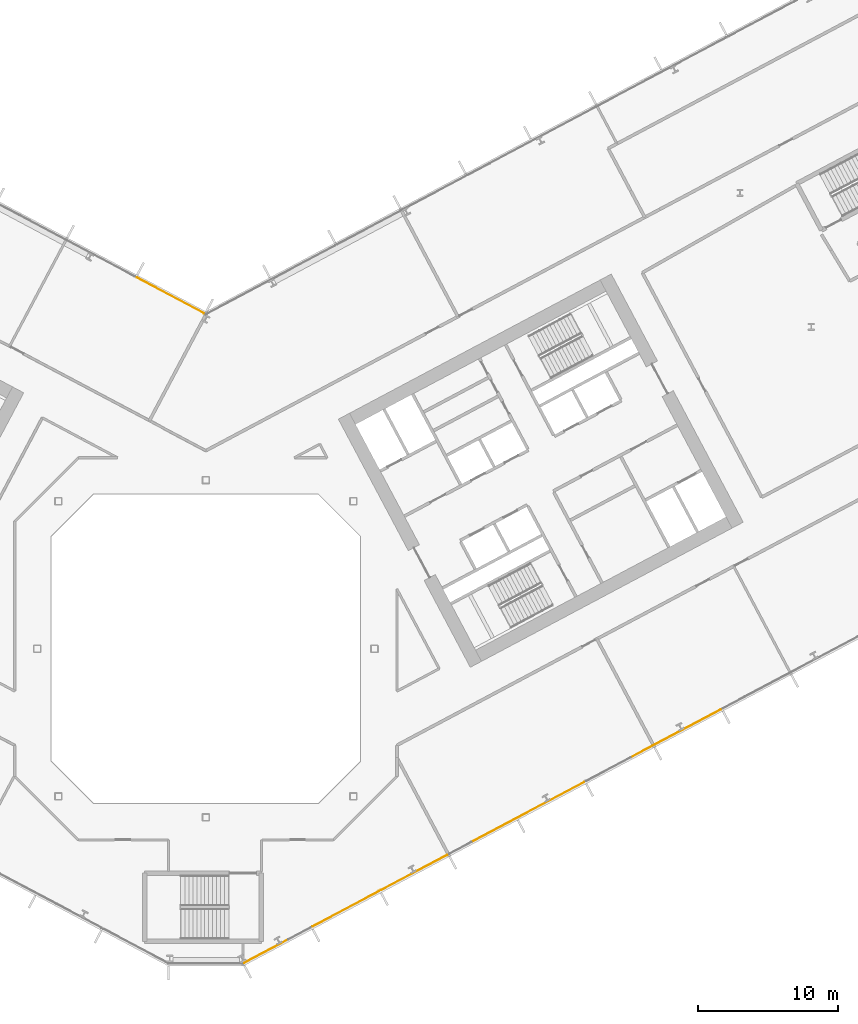
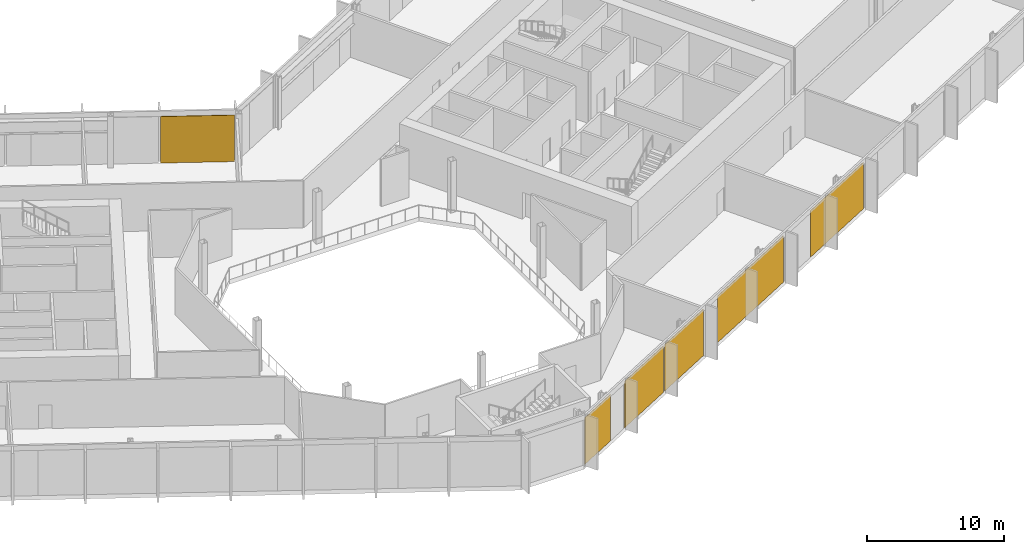
# One storey, part 25 of 30: 6 coverings, 2 elements without a shape of their own.
"""IFC4 building model written with IfcOpenShell, lengths in metres."""

import ifcopenshell
import ifcopenshell.guid

model = None  # the IFC model being written
_history = None  # IfcOwnerHistory: only IFC2X3 demands one
_inside = {}  # id of a spatial element -> (the spatial element, [elements in it])
_under = {}  # id of a project, library or spatial element -> (it, [spatial elements below it])
_declared = {}  # id of a project -> (the project, [libraries it declares])
_typed = {}  # id of a type object -> (the type object, [elements of that type])
_made_of = {}  # id of a material, layer set ... -> (it, [elements and type objects made of it])


def new_model(schema):
    """Start an empty IFC model of exactly this schema.

    Asked for "IFC4X3", IfcOpenShell would pick the latest addendum, in which some entities
    have other attributes; the version numbers below select the first issue.
    IFC2X3 requires an IfcOwnerHistory on every rooted entity: one is made here for all.
    """
    global model, _history
    if schema == "IFC4X3":
        model = ifcopenshell.file(schema_version=(4, 3, 0, 0))
    else:
        model = ifcopenshell.file(schema=schema)
    _inside.clear()
    _under.clear()
    _declared.clear()
    _typed.clear()
    _made_of.clear()
    _history = None
    if model.schema == "IFC2X3":
        org = make("IfcOrganization", Name="unknown")
        user = make(
            "IfcPersonAndOrganization",
            ThePerson=make("IfcPerson", FamilyName="unknown"),
            TheOrganization=org,
        )
        app = make(
            "IfcApplication",
            ApplicationDeveloper=org,
            Version="unknown",
            ApplicationFullName="unknown",
            ApplicationIdentifier="unknown",
        )
        _history = make(
            "IfcOwnerHistory",
            OwningUser=user,
            OwningApplication=app,
            ChangeAction="ADDED",
            CreationDate=0,
        )
    return model


def make(cls, **values):
    """One entity of the class cls with the attributes given. An attribute that is None is left unset."""
    return model.create_entity(
        cls, **{name: value for name, value in values.items() if value is not None}
    )


def rooted(cls, **values):
    """An entity with a GlobalId (a new one), such as an element, a storey or a relation."""
    return make(cls, GlobalId=ifcopenshell.guid.new(), OwnerHistory=_history, **values)


def si_unit(unit_type, name, prefix=None):
    """IfcSIUnit, for example si_unit("LENGTHUNIT", "METRE", prefix="MILLI")."""
    return make("IfcSIUnit", UnitType=unit_type, Prefix=prefix, Name=name)


def assignment(units):
    """IfcUnitAssignment: the units of a project."""
    return None if units is None else make("IfcUnitAssignment", Units=units)


def point(xyz):
    """IfcCartesianPoint."""
    return None if xyz is None else make("IfcCartesianPoint", Coordinates=xyz)


def direction(xyz):
    """IfcDirection."""
    return None if xyz is None else make("IfcDirection", DirectionRatios=xyz)


def frame(location, z_axis=None, x_axis=None):
    """IfcAxis2Placement3D, a coordinate frame: its origin and axes. An axis left out is left unset."""
    return make(
        "IfcAxis2Placement3D",
        Location=point(location),
        Axis=direction(z_axis),
        RefDirection=direction(x_axis),
    )


def frame_2d(location, x_axis=None):
    """IfcAxis2Placement2D, a coordinate frame in the plane: its origin and x axis."""
    return make(
        "IfcAxis2Placement2D", Location=point(location), RefDirection=direction(x_axis)
    )


def origin():
    """The frame at (0, 0, 0) with its axes left unset."""
    return frame((0.0, 0.0, 0.0))


def origin_2d():
    """The frame at (0, 0) in the plane with its x axis left unset."""
    return frame_2d((0.0, 0.0))


def place(relative_to, where):
    """IfcLocalPlacement: puts the frame where relative to a parent placement (None: the world)."""
    return make(
        "IfcLocalPlacement", PlacementRelTo=relative_to, RelativePlacement=where
    )


def context(
    kind, dimensions, precision=None, world=None, true_north=None, identifier=None
):
    """IfcGeometricRepresentationContext, for example the 3D "Model" context."""
    return make(
        "IfcGeometricRepresentationContext",
        ContextIdentifier=identifier,
        ContextType=kind,
        CoordinateSpaceDimension=dimensions,
        Precision=precision,
        WorldCoordinateSystem=world,
        TrueNorth=true_north,
    )


def subcontext(parent, identifier, kind, view, scale=None):
    """IfcGeometricRepresentationSubContext, for example "Body" below "Model"."""
    return make(
        "IfcGeometricRepresentationSubContext",
        ContextIdentifier=identifier,
        ContextType=kind,
        ParentContext=parent,
        TargetScale=scale,
        TargetView=view,
    )


def project(units=None, contexts=None):
    """IfcProject with its units and contexts."""
    return rooted(
        "IfcProject",
        Name="project",
        RepresentationContexts=contexts,
        UnitsInContext=assignment(units),
    )


def spatial(cls, under=None, at=None, **own):
    """A site, building, storey or space (cls), placed at a placement, below another one or the project."""
    s = rooted(cls, ObjectPlacement=at, **own)
    if under is not None:
        _under.setdefault(under.id(), (under, []))[1].append(s)
    return s


def profile(cls, at=None, kind="AREA", **sizes):
    """A parametric profile (cls). Its sizes go by their IFC names, for example OverallWidth=200.0."""
    return make(cls, ProfileType=kind, Position=at, **sizes)


def rectangle(**sizes):
    """IfcRectangleProfileDef."""
    return profile("IfcRectangleProfileDef", **sizes)


def extrude(swept, where, along, depth):
    """IfcExtrudedAreaSolid: the profile swept, set in the frame where, extruded along a direction by depth."""
    return make(
        "IfcExtrudedAreaSolid",
        SweptArea=swept,
        Position=where,
        ExtrudedDirection=direction(along),
        Depth=depth,
    )


def shape(context_of_items, identifier, shape_type, items):
    """IfcShapeRepresentation: the items that make up one representation, for example the "Body"."""
    return make(
        "IfcShapeRepresentation",
        ContextOfItems=context_of_items,
        RepresentationIdentifier=identifier,
        RepresentationType=shape_type,
        Items=items,
    )


def material(Name=None, Category=None):
    """IfcMaterial."""
    return make("IfcMaterial", Name=Name, Category=Category)


def layer(
    of_material, thickness, ventilated=None, Name=None, Category=None, Priority=None
):
    """IfcMaterialLayer: one layer of a wall or slab, of a material (None: an air gap)."""
    return make(
        "IfcMaterialLayer",
        Material=of_material,
        LayerThickness=thickness,
        IsVentilated=ventilated,
        Name=Name,
        Category=Category,
        Priority=Priority,
    )


def layer_set(layers, Name=None):
    """IfcMaterialLayerSet."""
    return make("IfcMaterialLayerSet", MaterialLayers=layers, LayerSetName=Name)


def made_of(thing, what):
    """Note that an element or type object is made of a material, layer set ...; save() writes the relation."""
    if what is not None:
        _made_of.setdefault(what.id(), (what, []))[1].append(thing)
    return thing


def type_object(cls, material=None, **own):
    """A type object (cls), such as IfcWallType, which elements share."""
    return made_of(rooted(cls, **own), material)


def element(
    cls,
    number,
    at=None,
    inside=None,
    cuts=None,
    type_object=None,
    material=None,
    context=None,
    identifier="Body",
    shape_type=None,
    held_by="IfcProductDefinitionShape",
    body=None,
    shapes=None,
    **own,
):
    """One element of the class cls, such as IfcWall. Its Tag is "e" and its number.

    at: its placement. inside: the storey or other place that contains it. cuts: it is an
    opening in that element (IfcRelVoidsElement). A single representation is given by context,
    identifier, shape_type and body (its items); several are given by shapes. held_by: the class
    of the entity that holds the representations. save() writes the other relations.
    """
    e = rooted(cls, Tag="e%d" % number, ObjectPlacement=at, **own)
    if body is not None:
        shapes = [shape(context, identifier, shape_type, body)]
    if shapes is not None:
        e.Representation = make(held_by, Representations=shapes)
    if inside is not None:
        _inside.setdefault(inside.id(), (inside, []))[1].append(e)
    if cuts is not None:
        rooted(
            "IfcRelVoidsElement", RelatingBuildingElement=cuts, RelatedOpeningElement=e
        )
    if type_object is not None:
        _typed.setdefault(type_object.id(), (type_object, []))[1].append(e)
    return made_of(e, material)


def aggregate(whole, parts):
    """IfcRelAggregates: a whole, such as a stair, and the parts it consists of."""
    return rooted("IfcRelAggregates", RelatingObject=whole, RelatedObjects=parts)


def save(model, path):
    """Write the relations noted so far, then the file.

    IfcRelAggregates (storeys below a building ...), IfcRelContainedInSpatialStructure (elements
    in a storey), IfcRelDefinesByType, IfcRelAssociatesMaterial and IfcRelDeclares: one each for
    every whole, place, type object, material and project.
    """
    for whole, parts in _under.values():
        aggregate(whole, parts)
    for where, things in _inside.values():
        rooted(
            "IfcRelContainedInSpatialStructure",
            RelatedElements=things,
            RelatingStructure=where,
        )
    for kind, things in _typed.values():
        rooted("IfcRelDefinesByType", RelatedObjects=things, RelatingType=kind)
    for what, things in _made_of.values():
        rooted("IfcRelAssociatesMaterial", RelatedObjects=things, RelatingMaterial=what)
    for by, libraries in _declared.values():
        rooted("IfcRelDeclares", RelatingContext=by, RelatedDefinitions=libraries)
    model.write(path)


model = new_model("IFC4")

# Units and contexts
model_context = context("Model", 3, precision=1e-05, world=origin(), true_north=direction((0.0, 1.0)))
body_context = subcontext(model_context, "Body", "Model", "MODEL_VIEW")
ifc_project = project(units=[si_unit("LENGTHUNIT", "METRE"), si_unit("AREAUNIT", "SQUARE_METRE"), si_unit("VOLUMEUNIT", "CUBIC_METRE"), si_unit("PLANEANGLEUNIT", "RADIAN"), si_unit("MASSUNIT", "GRAM", prefix="KILO")], contexts=[model_context])

# Site, building, storey
site_placement = place(None, origin())
site = spatial("IfcSite", under=ifc_project, at=site_placement, CompositionType="ELEMENT")
building_placement = place(site_placement, origin())
building = spatial("IfcBuilding", under=site, at=building_placement, Name="Cormorant Relay Tower", CompositionType="ELEMENT")
storey_placement = place(building_placement, frame((0.0, 0.0, 84.60009765625)))
storey = spatial("IfcBuildingStorey", under=building, at=storey_placement, Name="L16", CompositionType="ELEMENT", Elevation=84.60009765625)

# Curtain wall, coverings
ifc_material_1 = material(Name="Aluminium 6063-T6 anodised bronze", Category="aluminium")
ifc_layer_1 = layer(ifc_material_1, 0.199951171875)
ifc_layer_set_1 = layer_set([ifc_layer_1], Name="CW1 unitised bronze curtain wall with vertical fins")
curtain_wall_type = type_object("IfcCurtainWallType", Name="CW1 unitised bronze curtain wall with vertical fins", PredefinedType="NOTDEFINED", material=ifc_layer_set_1)
curtain_wall_1_placement = place(storey_placement, origin())
curtain_wall_1 = element("IfcCurtainWall", 1, at=curtain_wall_1_placement, inside=storey, type_object=curtain_wall_type, Name="CW1 curtain wall 2", PredefinedType="NOTDEFINED")
ifc_material_2 = material(Name="Pale bronze anodised aluminium insulated panel", Category="aluminium")
ifc_layer_2 = layer(ifc_material_2, 0.0400390625)
ifc_layer_set_2 = layer_set([ifc_layer_2], Name="CW1 pale bronze insulated panel 40")
covering_type = type_object("IfcCoveringType", Name="CW1 pale bronze insulated panel 40", PredefinedType="CLADDING", material=ifc_layer_set_2)
covering_1_placement = place(storey_placement, frame((4.296875, -21.52197265625, 0.0), z_axis=(0.0, 0.0, 1.0), x_axis=(0.882947592859, 0.469471562786, 0.0)))
covering_1 = element("IfcCovering", 2, at=covering_1_placement, type_object=covering_type, Name="CW1 panel S00", PredefinedType="CLADDING", context=body_context, shape_type="SweptSolid", body=[
    extrude(rectangle(XDim=3.561767578125, YDim=0.0400390625, at=origin_2d()), origin(), (0.0, 0.0, 1.0), 4.14990234375),
])
covering_2_placement = place(storey_placement, frame((9.958251953125, -18.51171875, 0.0), z_axis=(0.0, 0.0, 1.0), x_axis=(0.882947592859, 0.469471562786, 0.0)))
covering_2 = element("IfcCovering", 3, at=covering_2_placement, type_object=covering_type, Name="CW1 panel S02", PredefinedType="CLADDING", context=body_context, shape_type="SweptSolid", body=[
    extrude(rectangle(XDim=5.36181640625, YDim=0.0400390625, at=origin_2d()), origin(), (0.0, 0.0, 1.0), 4.14990234375),
])
covering_3_placement = place(storey_placement, frame((14.824951171875, -15.924072265625, 0.0), z_axis=(0.0, 0.0, 1.0), x_axis=(0.882947592859, 0.469471562786, 0.0)))
covering_3 = element("IfcCovering", 4, at=covering_3_placement, type_object=covering_type, Name="CW1 panel S03", PredefinedType="CLADDING", context=body_context, shape_type="SweptSolid", body=[
    extrude(rectangle(XDim=5.36181640625, YDim=0.0400390625, at=origin_2d()), origin(), (0.0, 0.0, 1.0), 4.14990234375),
])
covering_4_placement = place(storey_placement, frame((22.919677734375, -11.6201171875, 0.0), z_axis=(0.0, 0.0, 1.0), x_axis=(0.882947592859, 0.469471562786, 0.0)))
covering_4 = element("IfcCovering", 5, at=covering_4_placement, type_object=covering_type, Name="CW1 panel S05", PredefinedType="CLADDING", context=body_context, shape_type="SweptSolid", body=[
    extrude(rectangle(XDim=9.07373046875, YDim=0.0400390625, at=origin_2d()), origin(), (0.0, 0.0, 1.0), 4.14990234375),
])
covering_5_placement = place(storey_placement, frame((33.447509765625, -6.022216796875, 0.0), z_axis=(0.0, 0.0, 1.0), x_axis=(0.882947592859, 0.469471562786, 0.0)))
covering_5 = element("IfcCovering", 6, at=covering_5_placement, type_object=covering_type, Name="CW1 panel S07", PredefinedType="CLADDING", context=body_context, shape_type="SweptSolid", body=[
    extrude(rectangle(XDim=7.273681640625, YDim=0.0400390625, at=origin_2d()), origin(), (0.0, 0.0, 1.0), 4.14990234375),
])
aggregate(curtain_wall_1, [covering_1, covering_2, covering_3, covering_4, covering_5])

# Curtain wall, covering
curtain_wall_2_placement = place(storey_placement, origin())
curtain_wall_2 = element("IfcCurtainWall", 7, at=curtain_wall_2_placement, inside=storey, type_object=curtain_wall_type, Name="CW1 curtain wall 7", PredefinedType="NOTDEFINED")
covering_6_placement = place(storey_placement, frame((-2.51318359375, 25.142822265625, 0.0), z_axis=(0.0, 0.0, 1.0), x_axis=(-0.882947592859, 0.469471562786, 0.0)))
covering_6 = element("IfcCovering", 8, at=covering_6_placement, type_object=covering_type, Name="CW1 panel S00", PredefinedType="CLADDING", context=body_context, shape_type="SweptSolid", body=[
    extrude(rectangle(XDim=5.4140625, YDim=0.0400390625, at=origin_2d()), origin(), (0.0, 0.0, 1.0), 4.14990234375),
])
aggregate(curtain_wall_2, [covering_6])

save(model, "model.ifc")
